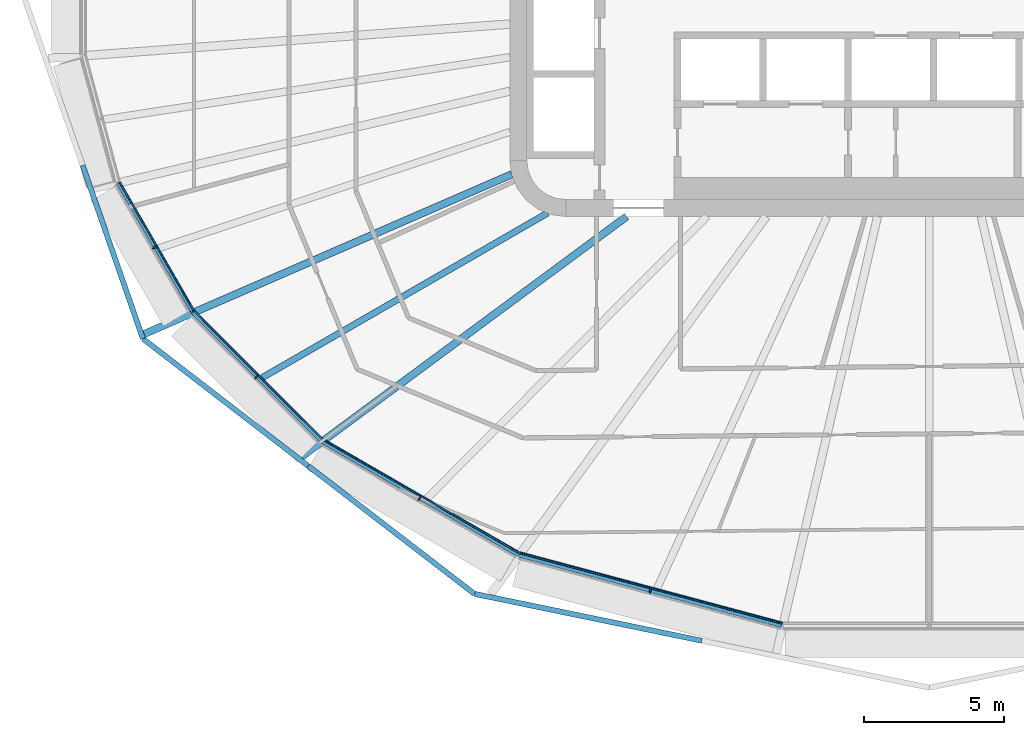
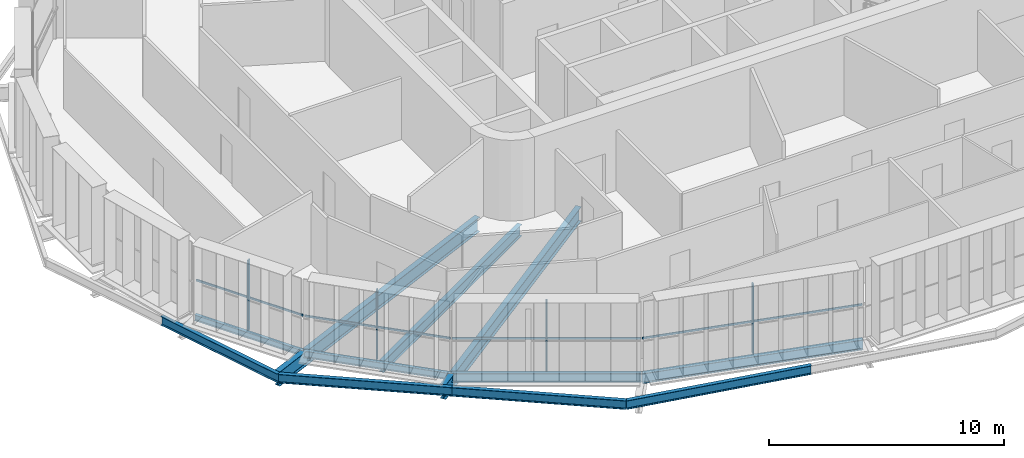
# One storey, part 1 of 22: 11 beams, 8 members, 4 elements without a shape of their own.
"""IFC4 building model written with IfcOpenShell, lengths in metres."""

from ifc_helpers import new_model, si_unit, direction, frame, origin, origin_2d, place, context, subcontext, project, spatial, rectangle, i_section, extrude, material, layer, layer_set, material_profile, profile_set, type_object, element, aggregate, save


model = new_model("IFC4")

# Units and contexts
model_context = context("Model", 3, precision=1e-05, world=origin(), true_north=direction((0.0, 1.0)))
body_context = subcontext(model_context, "Body", "Model", "MODEL_VIEW")
ifc_project = project(units=[si_unit("LENGTHUNIT", "METRE"), si_unit("AREAUNIT", "SQUARE_METRE"), si_unit("VOLUMEUNIT", "CUBIC_METRE"), si_unit("PLANEANGLEUNIT", "RADIAN"), si_unit("MASSUNIT", "GRAM", prefix="KILO")], contexts=[model_context])

# Site, building, storey
site_placement = place(None, origin())
site = spatial("IfcSite", under=ifc_project, at=site_placement, CompositionType="ELEMENT")
building_placement = place(site_placement, origin())
building = spatial("IfcBuilding", under=site, at=building_placement, Name="Sahrelin Media Tower", CompositionType="ELEMENT")
storey_placement = place(building_placement, frame((0.0, 0.0, 50.39990234375)))
storey = spatial("IfcBuildingStorey", under=building, at=storey_placement, Name="L07", CompositionType="ELEMENT", Elevation=50.39990234375)

# Beams
ifc_material_1 = material(Name="Steel S355", Category="steel")
ifc_material_profile_1 = material_profile(ifc_material_1, i_section(OverallWidth=0.1650390625, OverallDepth=0.303466796875, WebThickness=0.006103515625, FlangeThickness=0.01025390625, FilletRadius=0.0087890625, at=origin_2d()), Name="UB 305x165x40")
ifc_profile_set_1 = profile_set([ifc_material_profile_1], Name="Steel S355")
beam_type_1 = type_object("IfcBeamType", Name="Edge beam EB2", PredefinedType="BEAM", material=ifc_profile_set_1)
beam_1_placement = place(storey_placement, frame((-26.337158203125, -11.390380859375, -0.301513671875), z_axis=(-0.500035096025, 0.866005140137, 0.0), x_axis=(-0.866005140137, -0.500035096025, 0.0)))
element("IfcBeam", 1, at=beam_1_placement, inside=storey, type_object=beam_type_1, Name="Edge beam L07-11", PredefinedType="BEAM", context=body_context, shape_type="SweptSolid", body=[
    extrude(i_section(OverallWidth=0.1650390625, OverallDepth=0.303466796875, WebThickness=0.006103515625, FlangeThickness=0.01025390625, FilletRadius=0.0087890625, at=origin_2d()), origin(), (0.0, 0.0, 1.0), 5.3173828125),
])
ifc_material_profile_2 = material_profile(ifc_material_1, i_section(OverallWidth=0.17138671875, OverallDepth=0.35498046875, WebThickness=0.00732421875, FlangeThickness=0.011474609375, FilletRadius=0.01025390625, at=origin_2d()), Name="UB 356x171x51")
ifc_profile_set_2 = profile_set([ifc_material_profile_2], Name="Steel S355")
beam_type_2 = type_object("IfcBeamType", Name="Edge beam EB3", PredefinedType="BEAM", material=ifc_profile_set_2)
beam_2_placement = place(storey_placement, frame((-21.736572265625, -15.996337890625, -0.327392578125), z_axis=(-0.707087947355, 0.707125614516, 0.0), x_axis=(-0.707125614516, -0.707087947355, 0.0)))
element("IfcBeam", 2, at=beam_2_placement, inside=storey, type_object=beam_type_2, Name="Edge beam L07-10", PredefinedType="BEAM", context=body_context, shape_type="SweptSolid", body=[
    extrude(i_section(OverallWidth=0.17138671875, OverallDepth=0.35498046875, WebThickness=0.00732421875, FlangeThickness=0.011474609375, FilletRadius=0.01025390625, at=origin_2d()), origin(), (0.0, 0.0, 1.0), 6.4814453125),
])
ifc_material_profile_3 = material_profile(ifc_material_1, i_section(OverallWidth=0.1904296875, OverallDepth=0.45703125, WebThickness=0.009033203125, FlangeThickness=0.014404296875, FilletRadius=0.01025390625, at=origin_2d()), Name="UB 457x191x74")
ifc_profile_set_3 = profile_set([ifc_material_profile_3], Name="Steel S355")
beam_type_3 = type_object("IfcBeamType", Name="Edge beam EB5", PredefinedType="BEAM", material=ifc_profile_set_3)
beam_3_placement = place(storey_placement, frame((-14.694091796875, -20.066650390625, -0.37841796875), z_axis=(-0.866025076934, 0.500000566121, 0.0), x_axis=(-0.500000566121, -0.866025076934, 0.0)))
element("IfcBeam", 3, at=beam_3_placement, inside=storey, type_object=beam_type_3, Name="Edge beam L07-09", PredefinedType="BEAM", context=body_context, shape_type="SweptSolid", body=[
    extrude(i_section(OverallWidth=0.1904296875, OverallDepth=0.45703125, WebThickness=0.009033203125, FlangeThickness=0.014404296875, FilletRadius=0.01025390625, at=origin_2d()), origin(), (0.0, 0.0, 1.0), 8.10546875),
])
ifc_material_profile_4 = material_profile(ifc_material_1, i_section(OverallWidth=0.208740234375, OverallDepth=0.5283203125, WebThickness=0.009521484375, FlangeThickness=0.01318359375, FilletRadius=0.0126953125, at=origin_2d()), Name="UB 533x210x82")
ifc_profile_set_4 = profile_set([ifc_material_profile_4], Name="Steel S355")
beam_type_4 = type_object("IfcBeamType", Name="Edge beam EB6", PredefinedType="BEAM", material=ifc_profile_set_4)
beam_4_placement = place(storey_placement, frame((-5.26123046875, -22.597900390625, -0.4140625), z_axis=(-0.96592925142, 0.258806262002, 0.0), x_axis=(-0.258806262002, -0.96592925142, 0.0)))
element("IfcBeam", 4, at=beam_4_placement, inside=storey, type_object=beam_type_4, Name="Edge beam L07-08", PredefinedType="BEAM", context=body_context, shape_type="SweptSolid", body=[
    extrude(i_section(OverallWidth=0.208740234375, OverallDepth=0.5283203125, WebThickness=0.009521484375, FlangeThickness=0.01318359375, FilletRadius=0.0126953125, at=origin_2d()), origin(), (0.0, 0.0, 1.0), 9.738037109375),
])

# Curtain wall, member
ifc_material_2 = material(Name="Champagne anodised aluminium 6063-T6", Category="aluminium")
ifc_layer = layer(ifc_material_2, 0.14990234375)
ifc_layer_set = layer_set([ifc_layer], Name="Tower ribbon curtain wall")
curtain_wall_type = type_object("IfcCurtainWallType", Name="Tower ribbon curtain wall", PredefinedType="NOTDEFINED", material=ifc_layer_set)
curtain_wall_1_placement = place(storey_placement, frame((-27.79638671875, -9.162841796875, 0.0), z_axis=(0.0, 0.0, 1.0), x_axis=(1.0, 0.0, 0.0)))
curtain_wall_1 = element("IfcCurtainWall", 5, at=curtain_wall_1_placement, inside=storey, type_object=curtain_wall_type, Name="L07:CW:L07-14", PredefinedType="NOTDEFINED")
ifc_material_profile_5 = material_profile(ifc_material_2, rectangle(XDim=0.06005859375, YDim=0.14990234375, at=origin_2d()), Name="Mullion 60x150")
ifc_profile_set_5 = profile_set([ifc_material_profile_5], Name="Champagne anodised aluminium 6063-T6")
member_type_1 = type_object("IfcMemberType", Name="Mullion 60x150 CW1", PredefinedType="MULLION", material=ifc_profile_set_5)
member_1_placement = place(storey_placement, frame((-27.714111328125, -9.115234375, 0.0), z_axis=(0.0, 0.0, 1.0), x_axis=(0.500001511499, -0.866024531118, 0.0)))
member_1 = element("IfcMember", 6, at=member_1_placement, type_object=member_type_1, Name="L07:CWM:L07-14", PredefinedType="MULLION", context=body_context, shape_type="SweptSolid", body=[
    extrude(rectangle(XDim=0.06005859375, YDim=0.14990234375, at=origin_2d()), origin(), (0.0, 0.0, 1.0), 3.648681640625),
])

curtain_wall_2_placement = place(storey_placement, frame((-24.13427734375, -13.810791015625, 0.0), z_axis=(0.0, 0.0, 1.0), x_axis=(1.0, 0.0, 0.0)))
curtain_wall_2 = element("IfcCurtainWall", 7, at=curtain_wall_2_placement, inside=storey, type_object=curtain_wall_type, Name="L07:CW:L07-15", PredefinedType="NOTDEFINED")
member_2_placement = place(storey_placement, frame((-24.06689453125, -13.74365234375, 0.0), z_axis=(0.0, 0.0, 1.0), x_axis=(0.707106781187, -0.707106781187, 0.0)))
member_2 = element("IfcMember", 8, at=member_2_placement, type_object=member_type_1, Name="L07:CWM:L07-15", PredefinedType="MULLION", context=body_context, shape_type="SweptSolid", body=[
    extrude(rectangle(XDim=0.06005859375, YDim=0.14990234375, at=origin_2d()), origin(), (0.0, 0.0, 1.0), 3.648681640625),
])

curtain_wall_3_placement = place(storey_placement, frame((-18.27880859375, -18.170166015625, 0.0), z_axis=(0.0, 0.0, 1.0), x_axis=(1.0, 0.0, 0.0)))
curtain_wall_3 = element("IfcCurtainWall", 9, at=curtain_wall_3_placement, inside=storey, type_object=curtain_wall_type, Name="L07:CW:L07-16", PredefinedType="NOTDEFINED")
member_3_placement = place(storey_placement, frame((-18.2314453125, -18.087890625, 0.0), z_axis=(0.0, 0.0, 1.0), x_axis=(0.866025403784, -0.5, 0.0)))
member_3 = element("IfcMember", 10, at=member_3_placement, type_object=member_type_1, Name="L07:CWM:L07-16", PredefinedType="MULLION", context=body_context, shape_type="SweptSolid", body=[
    extrude(rectangle(XDim=0.06005859375, YDim=0.14990234375, at=origin_2d()), origin(), (0.0, 0.0, 1.0), 3.648681640625),
])

curtain_wall_4_placement = place(storey_placement, frame((-10.003173828125, -21.48291015625, 0.0), z_axis=(0.0, 0.0, 1.0), x_axis=(1.0, 0.0, 0.0)))
curtain_wall_4 = element("IfcCurtainWall", 11, at=curtain_wall_4_placement, inside=storey, type_object=curtain_wall_type, Name="L07:CW:L07-17", PredefinedType="NOTDEFINED")
member_4_placement = place(storey_placement, frame((-9.978515625, -21.39111328125, 0.0), z_axis=(0.0, 0.0, 1.0), x_axis=(0.965927181449, -0.258813987523, 0.0)))
member_4 = element("IfcMember", 12, at=member_4_placement, type_object=member_type_1, Name="L07:CWM:L07-17", PredefinedType="MULLION", context=body_context, shape_type="SweptSolid", body=[
    extrude(rectangle(XDim=0.06005859375, YDim=0.14990234375, at=origin_2d()), origin(), (0.0, 0.0, 1.0), 3.648681640625),
])

# Beams
ifc_material_profile_6 = material_profile(ifc_material_1, i_section(OverallWidth=0.26513671875, OverallDepth=0.75390625, WebThickness=0.0126953125, FlangeThickness=0.017578125, FilletRadius=0.0166015625, at=origin_2d()), Name="UB 762x267x147")
ifc_profile_set_6 = profile_set([ifc_material_profile_6], Name="Steel S355")
beam_type_5 = type_object("IfcBeamType", Name="Radial primary beam PB9", PredefinedType="BEAM", material=ifc_profile_set_6)
beam_5_placement = place(storey_placement, frame((-14.935302734375, -6.49072265625, -0.52685546875), z_axis=(-0.917134773268, -0.398577229232, 0.0), x_axis=(0.398577229232, -0.917134773268, 0.0)))
element("IfcBeam", 13, at=beam_5_placement, inside=storey, type_object=beam_type_5, Name="Radial beam L07-15", PredefinedType="BEAM", context=body_context, shape_type="SweptSolid", body=[
    extrude(i_section(OverallWidth=0.26513671875, OverallDepth=0.75390625, WebThickness=0.0126953125, FlangeThickness=0.017578125, FilletRadius=0.0166015625, at=origin_2d()), origin(), (0.0, 0.0, 1.0), 14.331298828125),
])
beam_6_placement = place(storey_placement, frame((-10.823486328125, -8.0, -0.52685546875), z_axis=(-0.804169832408, -0.594399596774, 0.0), x_axis=(0.594399596774, -0.804169832408, 0.0)))
element("IfcBeam", 14, at=beam_6_placement, inside=storey, type_object=beam_type_5, Name="Radial beam L07-16", PredefinedType="BEAM", context=body_context, shape_type="SweptSolid", body=[
    extrude(i_section(OverallWidth=0.26513671875, OverallDepth=0.75390625, WebThickness=0.0126953125, FlangeThickness=0.017578125, FilletRadius=0.0166015625, at=origin_2d()), origin(), (0.0, 0.0, 1.0), 14.475830078125),
])
ifc_material_profile_7 = material_profile(ifc_material_1, i_section(OverallWidth=0.2275390625, OverallDepth=0.6025390625, WebThickness=0.010498046875, FlangeThickness=0.014892578125, FilletRadius=0.0126953125, at=origin_2d()), Name="UB 610x229x101")
ifc_profile_set_7 = profile_set([ifc_material_profile_7], Name="Steel S355")
beam_type_6 = type_object("IfcBeamType", Name="Radial secondary beam SB7", PredefinedType="BEAM", material=ifc_profile_set_7)
beam_7_placement = place(storey_placement, frame((-13.65283203125, -7.8759765625, -0.451171875), z_axis=(-0.866208367887, -0.49968296289, 0.0), x_axis=(0.49968296289, -0.866208367887, 0.0)))
element("IfcBeam", 15, at=beam_7_placement, inside=storey, type_object=beam_type_6, Name="Secondary beam L07-15", PredefinedType="BEAM", context=body_context, shape_type="SweptSolid", body=[
    extrude(i_section(OverallWidth=0.2275390625, OverallDepth=0.6025390625, WebThickness=0.010498046875, FlangeThickness=0.014892578125, FilletRadius=0.0126953125, at=origin_2d()), origin(), (0.0, 0.0, 1.0), 11.774658203125),
])
ifc_material_profile_8 = material_profile(ifc_material_1, i_section(OverallWidth=0.1904296875, OverallDepth=0.45703125, WebThickness=0.009033203125, FlangeThickness=0.014404296875, FilletRadius=0.01025390625, at=origin_2d()), Name="UB 457x191x74")
ifc_profile_set_8 = profile_set([ifc_material_profile_8], Name="Steel S355")
beam_type_7 = type_object("IfcBeamType", Name="Tie chord TC5", PredefinedType="BEAM", material=ifc_profile_set_8)
beam_8_placement = place(storey_placement, frame((-8.140869140625, -23.1689453125, -0.37841796875), z_axis=(-0.979395648477, 0.201950894386, 0.0), x_axis=(-0.201950894386, -0.979395648477, 0.0)))
element("IfcBeam", 16, at=beam_8_placement, inside=storey, type_object=beam_type_7, Name="Tie chord L07-08", PredefinedType="BEAM", context=body_context, shape_type="SweptSolid", body=[
    extrude(i_section(OverallWidth=0.1904296875, OverallDepth=0.45703125, WebThickness=0.009033203125, FlangeThickness=0.014404296875, FilletRadius=0.01025390625, at=origin_2d()), origin(), (0.0, 0.0, 1.0), 8.299072265625),
])
beam_9_placement = place(storey_placement, frame((-16.26904296875, -21.492919921875, -0.37841796875), z_axis=(-0.792465355599, 0.609916928913, 0.0), x_axis=(-0.609916928913, -0.792465355599, 0.0)))
element("IfcBeam", 17, at=beam_9_placement, inside=storey, type_object=beam_type_7, Name="Tie chord L07-09", PredefinedType="BEAM", context=body_context, shape_type="SweptSolid", body=[
    extrude(i_section(OverallWidth=0.1904296875, OverallDepth=0.45703125, WebThickness=0.009033203125, FlangeThickness=0.014404296875, FilletRadius=0.01025390625, at=origin_2d()), origin(), (0.0, 0.0, 1.0), 7.49609375),
])
beam_10_placement = place(storey_placement, frame((-22.20947265625, -16.9208984375, -0.37841796875), z_axis=(-0.792441485976, 0.609947941471, 0.0), x_axis=(-0.609947941471, -0.792441485976, 0.0)))
element("IfcBeam", 18, at=beam_10_placement, inside=storey, type_object=beam_type_7, Name="Tie chord L07-10", PredefinedType="BEAM", context=body_context, shape_type="SweptSolid", body=[
    extrude(i_section(OverallWidth=0.1904296875, OverallDepth=0.45703125, WebThickness=0.009033203125, FlangeThickness=0.014404296875, FilletRadius=0.01025390625, at=origin_2d()), origin(), (0.0, 0.0, 1.0), 7.4609375),
])
beam_11_placement = place(storey_placement, frame((-28.121826171875, -12.3701171875, -0.37841796875), z_axis=(-0.328689445257, 0.944438059682, 0.0), x_axis=(-0.944438059682, -0.328689445257, 0.0)))
element("IfcBeam", 19, at=beam_11_placement, inside=storey, type_object=beam_type_7, Name="Tie chord L07-11", PredefinedType="BEAM", context=body_context, shape_type="SweptSolid", body=[
    extrude(i_section(OverallWidth=0.1904296875, OverallDepth=0.45703125, WebThickness=0.009033203125, FlangeThickness=0.014404296875, FilletRadius=0.01025390625, at=origin_2d()), origin(), (0.0, 0.0, 1.0), 6.562255859375),
])

# Member
ifc_material_profile_9 = material_profile(ifc_material_2, rectangle(XDim=0.050048828125, YDim=0.10009765625, at=origin_2d()), Name="Transom 50x100")
ifc_profile_set_9 = profile_set([ifc_material_profile_9], Name="Champagne anodised aluminium 6063-T6")
member_type_2 = type_object("IfcMemberType", Name="Transom 50x100 CW1", PredefinedType="USERDEFINED", material=ifc_profile_set_9)
member_5_placement = place(storey_placement, frame((-28.94921875, -6.7763671875, 1.60009765625), z_axis=(0.500003640647, -0.866023301845, 0.0), x_axis=(0.866023301845, 0.500003640647, 0.0)))
member_5 = element("IfcMember", 20, at=member_5_placement, type_object=member_type_2, Name="L07:CWT:L07-14", ObjectType="TRANSOM", PredefinedType="USERDEFINED", context=body_context, shape_type="SweptSolid", body=[
    extrude(rectangle(XDim=0.050048828125, YDim=0.10009765625, at=origin_2d()), origin(), (0.0, 0.0, 1.0), 5.2861328125),
])

aggregate(curtain_wall_1, [member_1, member_5])

member_6_placement = place(storey_placement, frame((-26.27685546875, -11.392578125, 1.60009765625), z_axis=(0.707106781187, -0.707106781187, 0.0), x_axis=(0.707106781187, 0.707106781187, 0.0)))
member_6 = element("IfcMember", 21, at=member_6_placement, type_object=member_type_2, Name="L07:CWT:L07-15", ObjectType="TRANSOM", PredefinedType="USERDEFINED", context=body_context, shape_type="SweptSolid", body=[
    extrude(rectangle(XDim=0.050048828125, YDim=0.10009765625, at=origin_2d()), origin(), (0.0, 0.0, 1.0), 6.4501953125),
])

aggregate(curtain_wall_2, [member_2, member_6])

member_7_placement = place(storey_placement, frame((-21.677490234375, -15.98291015625, 1.60009765625), z_axis=(0.866029485168, -0.49999293077, 0.0), x_axis=(0.49999293077, 0.866029485168, 0.0)))
member_7 = element("IfcMember", 22, at=member_7_placement, type_object=member_type_2, Name="L07:CWT:L07-16", ObjectType="TRANSOM", PredefinedType="USERDEFINED", context=body_context, shape_type="SweptSolid", body=[
    extrude(rectangle(XDim=0.050048828125, YDim=0.10009765625, at=origin_2d()), origin(), (0.0, 0.0, 1.0), 8.07373046875),
])

aggregate(curtain_wall_3, [member_3, member_7])

member_8_placement = place(storey_placement, frame((-14.640625, -20.038330078125, 1.60009765625), z_axis=(0.965927843343, -0.258811517238, 0.0), x_axis=(0.258811517238, 0.965927843343, 0.0)))
member_8 = element("IfcMember", 23, at=member_8_placement, type_object=member_type_2, Name="L07:CWT:L07-17", ObjectType="TRANSOM", PredefinedType="USERDEFINED", context=body_context, shape_type="SweptSolid", body=[
    extrude(rectangle(XDim=0.050048828125, YDim=0.10009765625, at=origin_2d()), origin(), (0.0, 0.0, 1.0), 9.706787109375),
])

aggregate(curtain_wall_4, [member_4, member_8])

save(model, "model.ifc")
